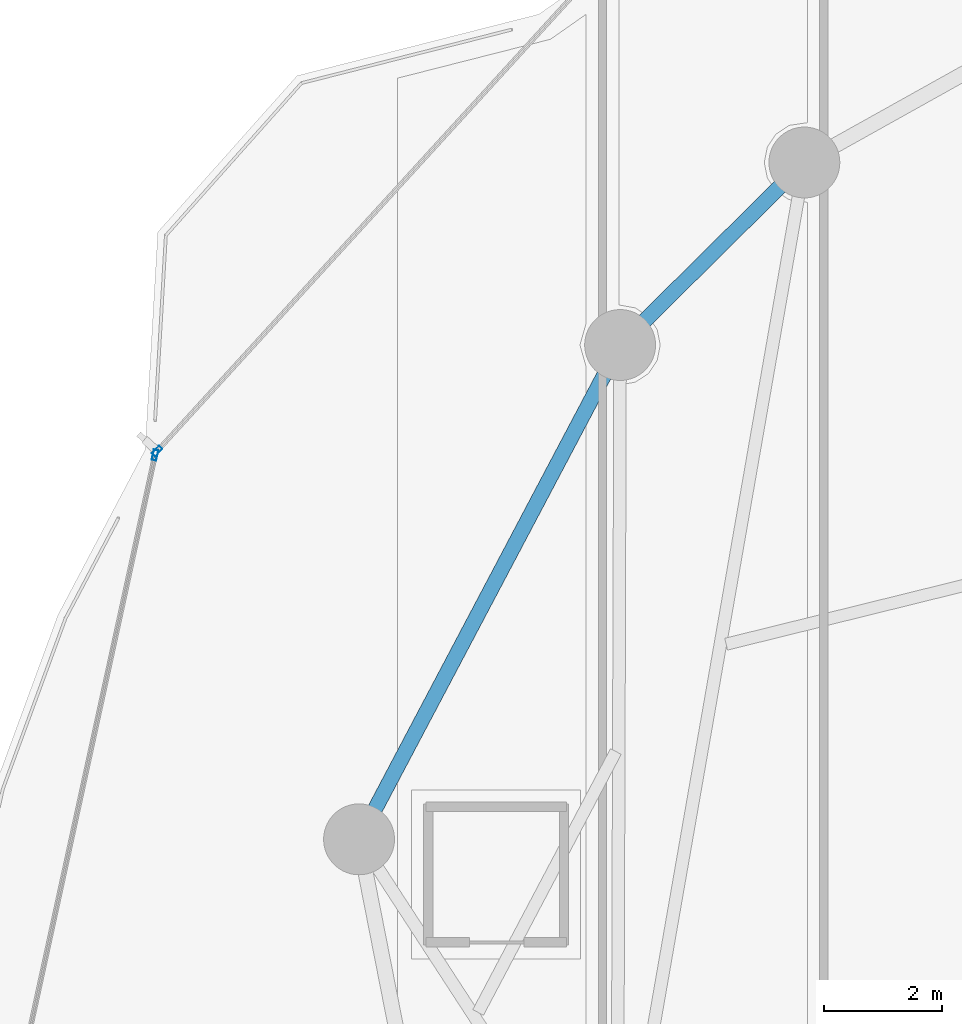
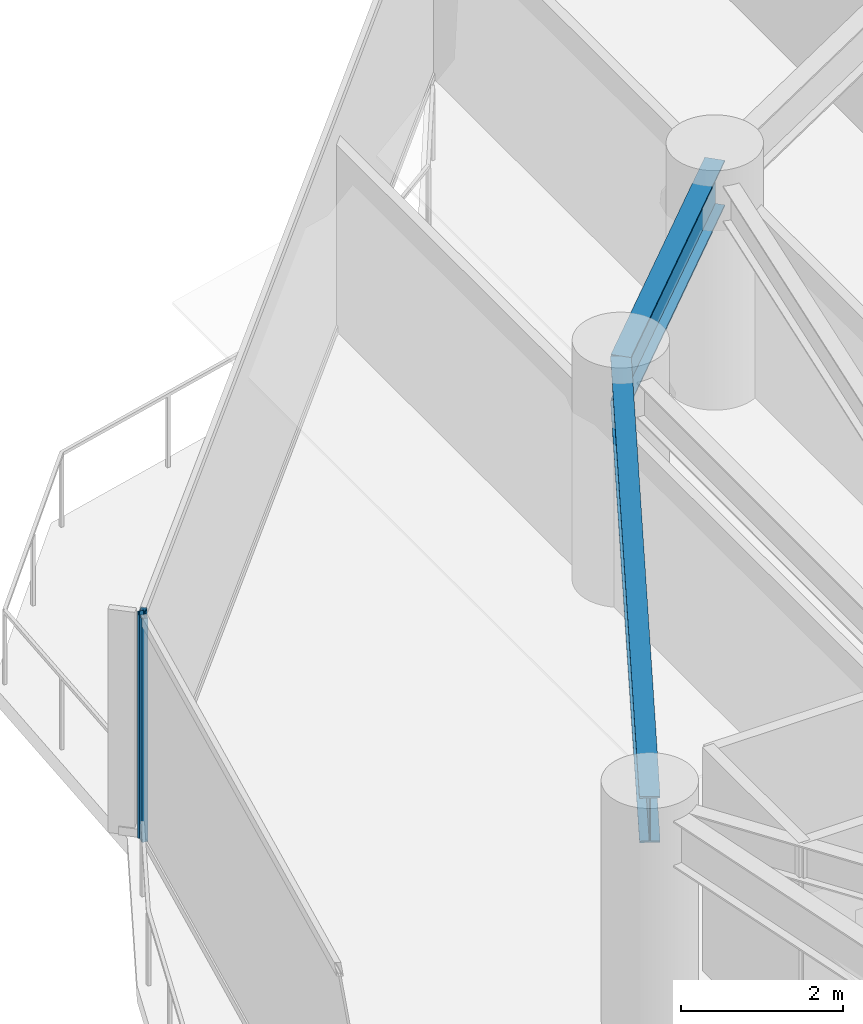
# One storey, part 17 of 34: 2 beams, 2 members, 2 elements without a shape of their own.
"""IFC4 building model written with IfcOpenShell, lengths in metres."""

from ifc_helpers import new_model, si_unit, direction, frame, origin, origin_2d, place, context, subcontext, project, spatial, hollow_rectangle, i_section, extrude, material, layer, layer_set, material_profile, profile_set, type_object, element, aggregate, save


model = new_model("IFC4")

# Units and contexts
model_context = context("Model", 3, precision=1e-05, world=origin(), true_north=direction((0.0, 1.0)))
body_context = subcontext(model_context, "Body", "Model", "MODEL_VIEW")
ifc_project = project(units=[si_unit("LENGTHUNIT", "METRE"), si_unit("AREAUNIT", "SQUARE_METRE"), si_unit("VOLUMEUNIT", "CUBIC_METRE"), si_unit("PLANEANGLEUNIT", "RADIAN"), si_unit("MASSUNIT", "GRAM", prefix="KILO")], contexts=[model_context])

# Site, building, storey
site_placement = place(None, origin())
site = spatial("IfcSite", under=ifc_project, at=site_placement, CompositionType="ELEMENT")
building_placement = place(site_placement, origin())
building = spatial("IfcBuilding", under=site, at=building_placement, Name="Kazevale Care Tower and Concert Hall", CompositionType="ELEMENT")
storey_placement = place(building_placement, frame((0.0, 0.0, 167.39990234375)))
storey = spatial("IfcBuildingStorey", under=building, at=storey_placement, Name="L44", CompositionType="ELEMENT", Elevation=167.39990234375)

# Curtain wall, member
ifc_material_1 = material(Name="Aluminium 6063-T6 and Low-E Glass", Category="aluminium")
ifc_layer_1 = layer(ifc_material_1, 0.179931640625)
ifc_layer_set_1 = layer_set([ifc_layer_1], Name="Aluminium 6063-T6 and Low-E Glass")
curtain_wall_type_1 = type_object("IfcCurtainWallType", Name="Convex Checkerboard Finned Curtain Wall CW-2", PredefinedType="NOTDEFINED", material=ifc_layer_set_1)
curtain_wall_1_placement = place(storey_placement, origin())
curtain_wall_1 = element("IfcCurtainWall", 1, at=curtain_wall_1_placement, inside=storey, type_object=curtain_wall_type_1, Name="cw:L44:f14", PredefinedType="NOTDEFINED")
ifc_material_2 = material(Name="Aluminium 6063-T6", Category="aluminium")
ifc_material_profile_1 = material_profile(ifc_material_2, hollow_rectangle(XDim=0.080078125, YDim=0.179931640625, WallThickness=0.0048828125, at=origin_2d()), Name="ALU80x180x5")
ifc_profile_set_1 = profile_set([ifc_material_profile_1], Name="Aluminium 6063-T6")
member_type_1 = type_object("IfcMemberType", Name="CW-2 Mullion ALU80x180x5", PredefinedType="MULLION", material=ifc_profile_set_1)
member_1_placement = place(storey_placement, frame((14.2109375, 49.694580078125, 0.0), z_axis=(0.0, 0.0, 1.0), x_axis=(-0.738491785899, 0.674262472751, 0.0)))
member_1 = element("IfcMember", 2, at=member_1_placement, type_object=member_type_1, Name="CW-2 mullion 1", PredefinedType="MULLION", context=body_context, shape_type="SweptSolid", body=[
    extrude(hollow_rectangle(XDim=0.080078125, YDim=0.179931640625, WallThickness=0.0048828125, at=origin_2d()), origin(), (0.0, 0.0, 1.0), 3.360107421875),
])
aggregate(curtain_wall_1, [member_1])

ifc_layer_2 = layer(ifc_material_1, 0.179931640625)
ifc_layer_set_2 = layer_set([ifc_layer_2], Name="Aluminium 6063-T6 and Low-E Glass")
curtain_wall_type_2 = type_object("IfcCurtainWallType", Name="Waist & Upper Residential Curtain Wall CW-4", PredefinedType="NOTDEFINED", material=ifc_layer_set_2)
curtain_wall_2_placement = place(storey_placement, origin())
curtain_wall_2 = element("IfcCurtainWall", 3, at=curtain_wall_2_placement, inside=storey, type_object=curtain_wall_type_2, Name="cw:L44:f13", PredefinedType="NOTDEFINED")
ifc_material_profile_2 = material_profile(ifc_material_2, hollow_rectangle(XDim=0.080078125, YDim=0.179931640625, WallThickness=0.0048828125, at=origin_2d()), Name="ALU80x180x5")
ifc_profile_set_2 = profile_set([ifc_material_profile_2], Name="Aluminium 6063-T6")
member_type_2 = type_object("IfcMemberType", Name="CW-4 Mullion ALU80x180x5", PredefinedType="MULLION", material=ifc_profile_set_2)
member_2_placement = place(storey_placement, frame((14.175537109375, 49.6259765625, 0.0), z_axis=(0.0, 0.0, 1.0), x_axis=(-0.977090755849, 0.21282305992, 0.0)))
member_2 = element("IfcMember", 4, at=member_2_placement, type_object=member_type_2, Name="CW-4 mullion 2", PredefinedType="MULLION", context=body_context, shape_type="SweptSolid", body=[
    extrude(hollow_rectangle(XDim=0.080078125, YDim=0.179931640625, WallThickness=0.0048828125, at=origin_2d()), origin(), (0.0, 0.0, 1.0), 3.360107421875),
])
aggregate(curtain_wall_2, [member_2])

# Beams
ifc_material_3 = material(Name="Steel ASTM A572 Gr 50", Category="steel")
ifc_material_profile_3 = material_profile(ifc_material_3, i_section(OverallWidth=0.256103515625, OverallDepth=0.693115234375, WebThickness=0.014404296875, FlangeThickness=0.023681640625, at=origin_2d()), Name="W690x170")
ifc_profile_set_3 = profile_set([ifc_material_profile_3], Name="Steel ASTM A572 Gr 50")
beam_type = type_object("IfcBeamType", Name="Waist Ring Beam W690x170", PredefinedType="BEAM", material=ifc_profile_set_3)
beam_1_placement = place(storey_placement, frame((25.169921875, 54.580078125, 3.013671875), z_axis=(-0.710490141585, -0.703707154085, 0.0), x_axis=(0.703707154085, -0.710490141585, 0.0)))
element("IfcBeam", 5, at=beam_1_placement, inside=storey, type_object=beam_type, Name="beam:L44:ring:07", PredefinedType="BEAM", context=body_context, shape_type="SweptSolid", body=[
    extrude(i_section(OverallWidth=0.256103515625, OverallDepth=0.693115234375, WebThickness=0.014404296875, FlangeThickness=0.023681640625, at=origin_2d()), origin(), (0.0, 0.0, 1.0), 4.39111328125),
])
beam_2_placement = place(storey_placement, frame((22.050048828125, 51.489990234375, 3.013671875), z_axis=(-0.466984438127, -0.884265533959, 0.0), x_axis=(0.884265533959, -0.466984438127, 0.0)))
element("IfcBeam", 6, at=beam_2_placement, inside=storey, type_object=beam_type, Name="beam:L44:ring:08", PredefinedType="BEAM", context=body_context, shape_type="SweptSolid", body=[
    extrude(i_section(OverallWidth=0.256103515625, OverallDepth=0.693115234375, WebThickness=0.014404296875, FlangeThickness=0.023681640625, at=origin_2d()), origin(), (0.0, 0.0, 1.0), 9.46533203125),
])

save(model, "model.ifc")
